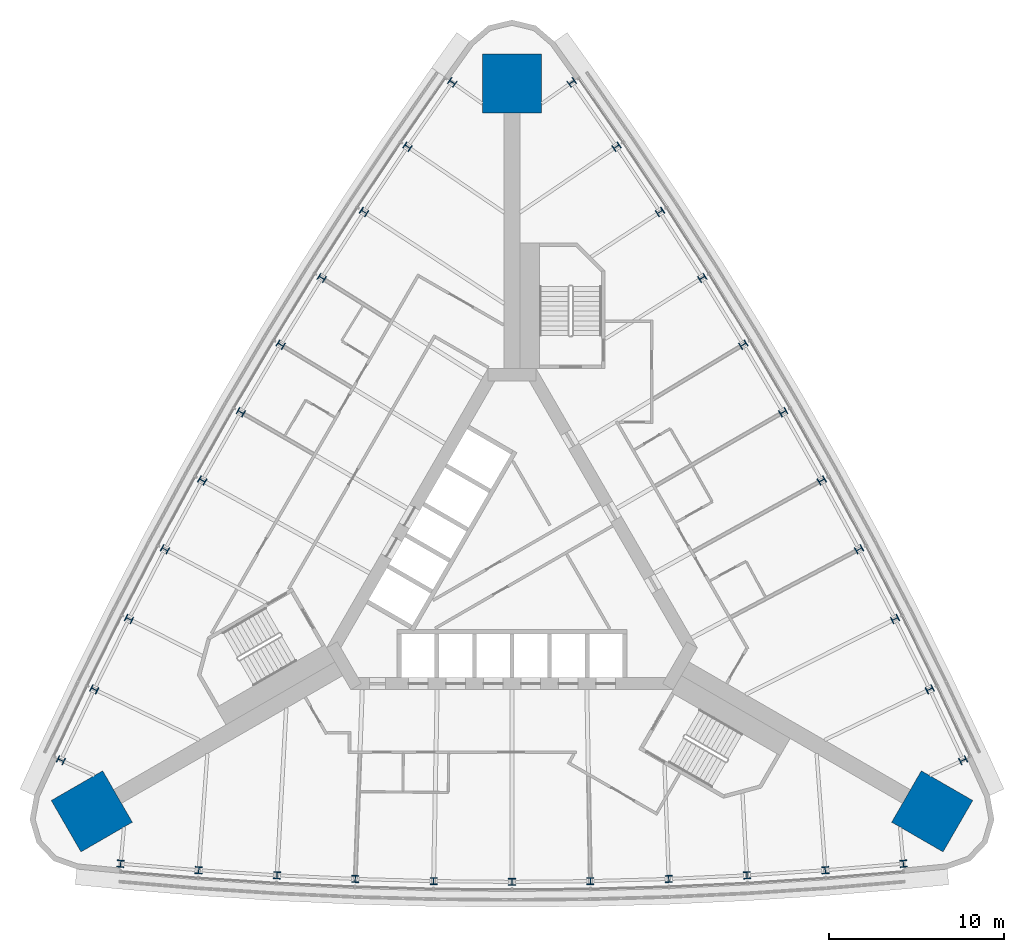
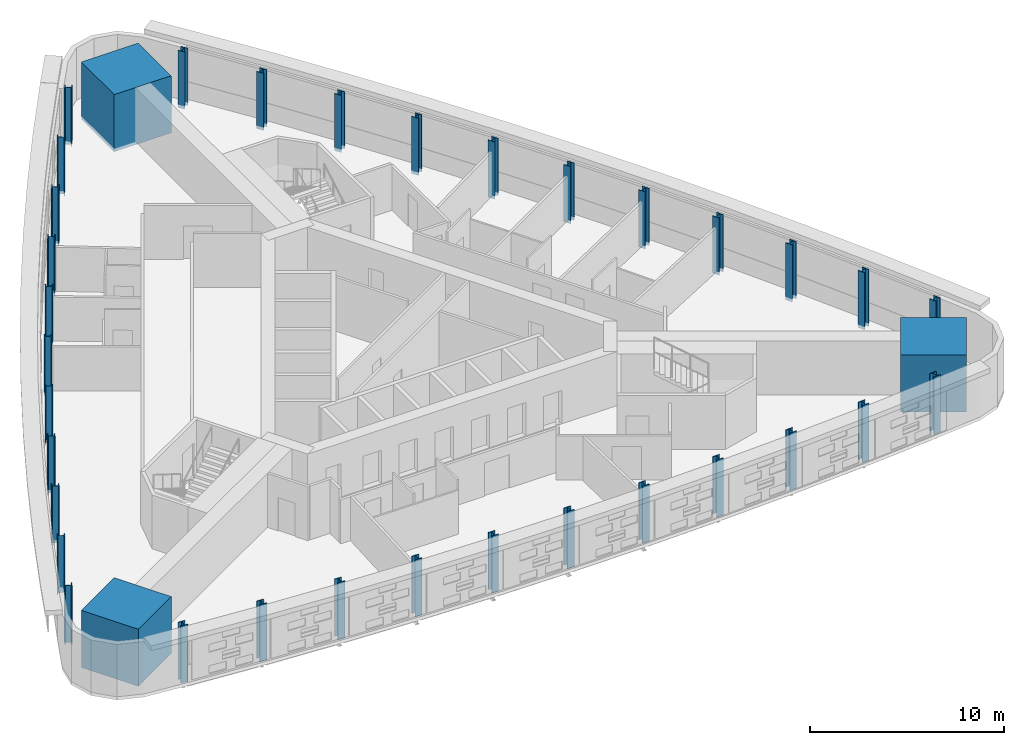
# One storey, part 1 of 15: 36 columns.
"""IFC4 building model written with IfcOpenShell, lengths in metres."""

from ifc_helpers import new_model, si_unit, direction, frame, origin, origin_2d, place, context, subcontext, project, spatial, rectangle, i_section, extrude, material, material_profile, profile_set, type_object, element, save


model = new_model("IFC4")

# Units and contexts
model_context = context("Model", 3, precision=1e-05, world=origin(), true_north=direction((0.0, 1.0)))
body_context = subcontext(model_context, "Body", "Model", "MODEL_VIEW")
ifc_project = project(units=[si_unit("LENGTHUNIT", "METRE"), si_unit("AREAUNIT", "SQUARE_METRE"), si_unit("VOLUMEUNIT", "CUBIC_METRE"), si_unit("PLANEANGLEUNIT", "RADIAN"), si_unit("MASSUNIT", "GRAM", prefix="KILO")], contexts=[model_context])

# Site, building, storey
site_placement = place(None, origin())
site = spatial("IfcSite", under=ifc_project, at=site_placement, CompositionType="ELEMENT")
building_placement = place(site_placement, origin())
building = spatial("IfcBuilding", under=site, at=building_placement, Name="Noor Cloister Tower", CompositionType="ELEMENT")
storey_placement = place(building_placement, frame((0.0, 0.0, 31.199951171875)))
storey = spatial("IfcBuildingStorey", under=building, at=storey_placement, Name="L07", CompositionType="ELEMENT", Elevation=31.199951171875)

# Columns
ifc_material_1 = material(Name="Steel ASTM A992 Gr 50", Category="steel")
ifc_material_profile_1 = material_profile(ifc_material_1, i_section(OverallWidth=0.404052734375, OverallDepth=0.406005859375, WebThickness=0.027099609375, FlangeThickness=0.043701171875, FilletRadius=0.01513671875, at=origin_2d()), Name="W360x347")
ifc_profile_set_1 = profile_set([ifc_material_profile_1], Name="Steel ASTM A992 Gr 50")
column_type_1 = type_object("IfcColumnType", Name="Column W360x347", PredefinedType="COLUMN", material=ifc_profile_set_1)
for number, where, z_axis, x_axis, name in (
    (1, (-3.421142578125, 27.85986328125, -0.199951171875), (0.0, 0.0, 1.0), (-0.578075535205, -0.815983256934, 0.0), "Column NW 01 L07"),
    (2, (-5.982421875, 24.17236328125, -0.199951171875), (0.0, 0.0, 1.0), (-0.562837238095, -0.826567748834, 0.0), "Column NW 02 L07"),
    (3, (-8.474853515625, 20.43798828125, -0.199951171875), (0.0, 0.0, 1.0), (-0.547405191489, -0.836867705394, 0.0), "Column NW 03 L07"),
    (4, (-10.8974609375, 16.657958984375, -0.199951171875), (0.0, 0.0, 1.0), (-0.531784707656, -0.846879580994, 0.0), "Column NW 04 L07"),
    (5, (-13.249755859375, 12.833740234375, -0.199951171875), (0.0, 0.0, 1.0), (-0.515981163775, -0.856599929156, 0.0), "Column NW 05 L07"),
    (6, (-15.530517578125, 8.966552734375, -0.199951171875), (0.0, 0.0, 1.0), (-0.5, -0.866025403784, 0.0), "Column NW 06 L07"),
    (7, (-17.7392578125, 5.0576171875, -0.199951171875), (0.0, 0.0, 1.0), (-0.483846717641, -0.875152760281, 0.0), "Column NW 07 L07"),
    (8, (-19.875, 1.1083984375, -0.199951171875), (0.0, 0.0, 1.0), (-0.467526877259, -0.883978856671, 0.0), "Column NW 08 L07"),
    (9, (-21.937255859375, -2.879638671875, -0.199951171875), (0.0, 0.0, 1.0), (-0.451046096733, -0.89250065469, 0.0), "Column NW 09 L07"),
    (10, (-23.925048828125, -6.9052734375, -0.199951171875), (0.0, 0.0, 1.0), (-0.434410049392, -0.900715220804, 0.0), "Column NW 10 L07"),
    (11, (-25.837890625, -10.96728515625, -0.199951171875), (0.0, 0.0, 1.0), (-0.417624461966, -0.908619727261, 0.0), "Column NW 11 L07"),
    (12, (-22.416748046875, -16.892578125, -0.199951171875), (0.0, 0.0, 1.0), (0.995699997171, -0.092636470327, 0.0), "Column S 01 L07"),
    (13, (-17.942626953125, -17.26708984375, -0.199951171875), (0.0, 0.0, 1.0), (0.997247287487, -0.074147471969, 0.0), "Column S 02 L07"),
    (14, (-13.46240234375, -17.558349609375, -0.199951171875), (0.0, 0.0, 1.0), (0.998451288222, -0.055632949296, 0.0), "Column S 03 L07"),
    (15, (-8.9775390625, -17.7666015625, -0.199951171875), (0.0, 0.0, 1.0), (0.999311584914, -0.037099275677, 0.0), "Column S 04 L07"),
    (16, (-4.489501953125, -17.8916015625, -0.199951171875), (0.0, 0.0, 1.0), (0.999827881416, -0.018552831126, 0.0), "Column S 05 L07"),
    (17, (0.0, -17.93310546875, -0.199951171875), (0.0, 0.0, 1.0), (1.0, 0.0, 0.0), "Column S 06 L07"),
    (18, (4.489501953125, -17.8916015625, -0.199951171875), (0.0, 0.0, 1.0), (0.999827881416, 0.018552831126, 0.0), "Column S 07 L07"),
    (19, (8.9775390625, -17.7666015625, -0.199951171875), (0.0, 0.0, 1.0), (0.999311584914, 0.037099275677, 0.0), "Column S 08 L07"),
    (20, (13.46240234375, -17.558349609375, -0.199951171875), (0.0, 0.0, 1.0), (0.998451288222, 0.055632949296, 0.0), "Column S 09 L07"),
    (21, (17.942626953125, -17.26708984375, -0.199951171875), (0.0, 0.0, 1.0), (0.997247287487, 0.074147471969, 0.0), "Column S 10 L07"),
    (22, (22.416748046875, -16.892578125, -0.199951171875), (0.0, 0.0, 1.0), (0.995699997171, 0.092636470327, 0.0), "Column S 11 L07"),
    (23, (25.837890625, -10.96728515625, -0.199951171875), (0.0, 0.0, 1.0), (-0.417624461966, 0.908619727261, 0.0), "Column NE 01 L07"),
    (24, (23.925048828125, -6.9052734375, -0.199951171875), (0.0, 0.0, 1.0), (-0.434410049392, 0.900715220804, 0.0), "Column NE 02 L07"),
    (25, (21.937255859375, -2.879638671875, -0.199951171875), (0.0, 0.0, 1.0), (-0.451046096733, 0.89250065469, 0.0), "Column NE 03 L07"),
    (26, (19.875, 1.1083984375, -0.199951171875), (0.0, 0.0, 1.0), (-0.467526877259, 0.883978856671, 0.0), "Column NE 04 L07"),
    (27, (17.7392578125, 5.0576171875, -0.199951171875), (0.0, 0.0, 1.0), (-0.483846717641, 0.875152760281, 0.0), "Column NE 05 L07"),
    (28, (15.530517578125, 8.966552734375, -0.199951171875), (0.0, 0.0, 1.0), (-0.5, 0.866025403784, 0.0), "Column NE 06 L07"),
    (29, (13.249755859375, 12.833740234375, -0.199951171875), (0.0, 0.0, 1.0), (-0.515981163775, 0.856599929156, 0.0), "Column NE 07 L07"),
    (30, (10.8974609375, 16.657958984375, -0.199951171875), (0.0, 0.0, 1.0), (-0.531784707656, 0.846879580994, 0.0), "Column NE 08 L07"),
    (31, (8.474853515625, 20.43798828125, -0.199951171875), (0.0, 0.0, 1.0), (-0.547405191489, 0.836867705394, 0.0), "Column NE 09 L07"),
    (32, (5.982421875, 24.17236328125, -0.199951171875), (0.0, 0.0, 1.0), (-0.562837238095, 0.826567748834, 0.0), "Column NE 10 L07"),
    (33, (3.421142578125, 27.85986328125, -0.199951171875), (0.0, 0.0, 1.0), (-0.578075535205, 0.815983256934, 0.0), "Column NE 11 L07"),
):
    element("IfcColumn", number, at=place(storey_placement, frame(where, z_axis=z_axis, x_axis=x_axis)), inside=storey, type_object=column_type_1, Name=name, PredefinedType="COLUMN", context=body_context, shape_type="SweptSolid", body=[
        extrude(i_section(OverallWidth=0.404052734375, OverallDepth=0.406005859375, WebThickness=0.027099609375, FlangeThickness=0.043701171875, FilletRadius=0.01513671875, at=origin_2d()), origin(), (0.0, 0.0, 1.0), 3.60009765625),
    ])
ifc_material_2 = material(Name="Concrete C80/95", Category="concrete")
ifc_material_profile_2 = material_profile(ifc_material_2, rectangle(XDim=3.39990234375, YDim=3.39990234375, at=origin_2d()), Name="RC 3400x3400")
ifc_profile_set_2 = profile_set([ifc_material_profile_2], Name="Concrete C80/95")
column_type_2 = type_object("IfcColumnType", Name="Corner pier 3400 x 3400 C80/95", PredefinedType="COLUMN", material=ifc_profile_set_2)
for number, where, z_axis, x_axis, name in (
    (34, (0.0, 27.7890625, -0.199951171875), (0.0, 0.0, 1.0), (0.0, 1.0, 0.0), "Corner pier N L07"),
    (35, (-24.06591796875, -13.89453125, -0.199951171875), (0.0, 0.0, 1.0), (-0.866025403784, -0.5, 0.0), "Corner pier SW L07"),
    (36, (24.06591796875, -13.89453125, -0.199951171875), (0.0, 0.0, 1.0), (0.866025403784, -0.5, 0.0), "Corner pier SE L07"),
):
    element("IfcColumn", number, at=place(storey_placement, frame(where, z_axis=z_axis, x_axis=x_axis)), inside=storey, type_object=column_type_2, Name=name, PredefinedType="COLUMN", context=body_context, shape_type="SweptSolid", body=[
        extrude(rectangle(XDim=3.39990234375, YDim=3.39990234375, at=origin_2d()), origin(), (0.0, 0.0, 1.0), 3.60009765625),
    ])

save(model, "model.ifc")
